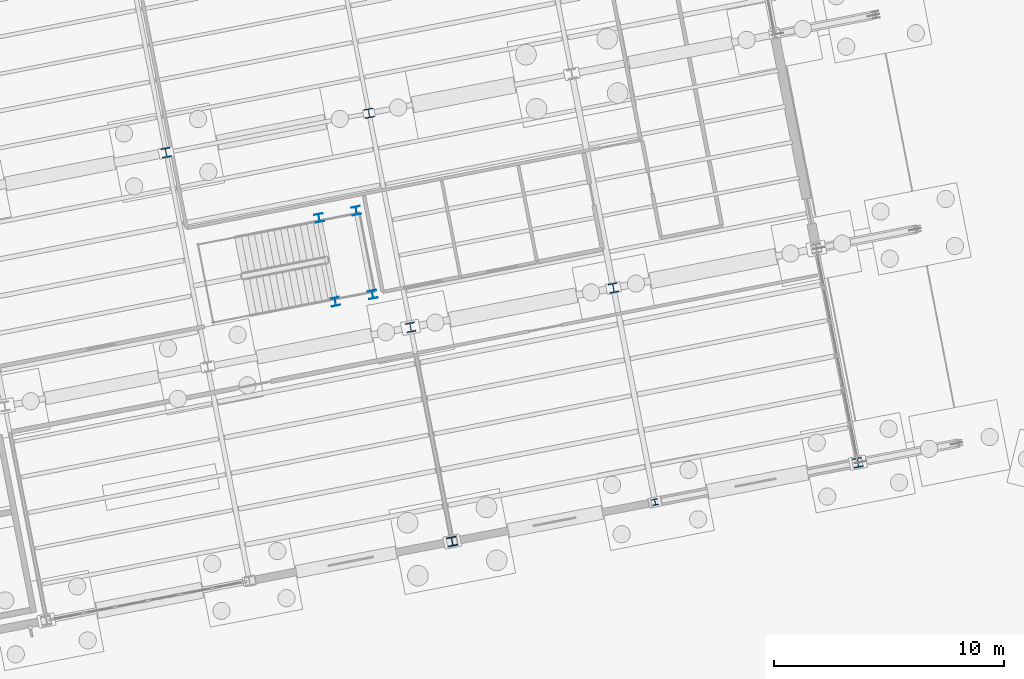
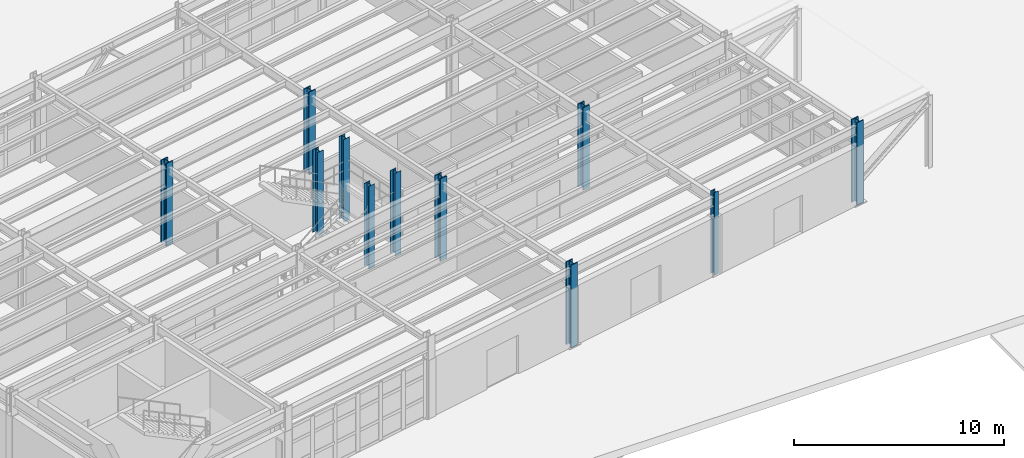
# One storey, part 10 of 108: 11 columns.
"""IFC4 building model written with IfcOpenShell, lengths in metres."""

from ifc_helpers import new_model, si_unit, direction, frame, origin, origin_2d, place, context, subcontext, project, spatial, i_section, extrude, material, material_profile, profile_set, type_object, element, save


model = new_model("IFC4")

# Units and contexts
model_context = context("Model", 3, precision=1e-05, world=origin(), true_north=direction((0.0, 1.0)))
body_context = subcontext(model_context, "Body", "Model", "MODEL_VIEW")
ifc_project = project(units=[si_unit("LENGTHUNIT", "METRE"), si_unit("AREAUNIT", "SQUARE_METRE"), si_unit("VOLUMEUNIT", "CUBIC_METRE"), si_unit("PLANEANGLEUNIT", "RADIAN"), si_unit("MASSUNIT", "GRAM", prefix="KILO")], contexts=[model_context])

# Site, building, storey
site_placement = place(None, origin())
site = spatial("IfcSite", under=ifc_project, at=site_placement, CompositionType="ELEMENT")
building_placement = place(site_placement, origin())
building = spatial("IfcBuilding", under=site, at=building_placement, Name="Vireo Bluff Cable Station", CompositionType="ELEMENT")
storey_placement = place(building_placement, origin())
storey = spatial("IfcBuildingStorey", under=building, at=storey_placement, Name="L00", CompositionType="ELEMENT", Elevation=0.0)

# Columns
ifc_material = material(Name="Steel ASTM A992 Gr. 50", Category="steel")
ifc_material_profile_1 = material_profile(ifc_material, i_section(OverallWidth=0.404052734375, OverallDepth=0.406005859375, WebThickness=0.027099609375, FlangeThickness=0.043701171875, FilletRadius=0.014892578125, at=origin_2d()), Name="W14X233")
ifc_profile_set_1 = profile_set([ifc_material_profile_1], Name="Steel ASTM A992 Gr. 50")
column_type_1 = type_object("IfcColumnType", Name="COL-W14X233", PredefinedType="COLUMN", material=ifc_profile_set_1)
column_1_placement = place(storey_placement, frame((32.378662109375, 29.302734375, 0.0), z_axis=(0.0, 0.0, 1.0), x_axis=(0.981627183448, 0.190808995377, 0.0)))
element("IfcColumn", 1, at=column_1_placement, inside=storey, type_object=column_type_1, Name="V5 L00 column 369", PredefinedType="COLUMN", context=body_context, shape_type="SweptSolid", body=[
    extrude(i_section(OverallWidth=0.404052734375, OverallDepth=0.406005859375, WebThickness=0.027099609375, FlangeThickness=0.043701171875, FilletRadius=0.014892578125, at=origin_2d()), origin(), (0.0, 0.0, 1.0), 4.800048828125),
])
ifc_material_profile_2 = material_profile(ifc_material, i_section(OverallWidth=0.408935546875, OverallDepth=0.424072265625, WebThickness=0.03271484375, FlangeThickness=0.052490234375, FilletRadius=0.014892578125, at=origin_2d()), Name="W14X283")
ifc_profile_set_2 = profile_set([ifc_material_profile_2], Name="Steel ASTM A992 Gr. 50")
column_type_2 = type_object("IfcColumnType", Name="COL-W14X283", PredefinedType="COLUMN", material=ifc_profile_set_2)
for number, where, z_axis, x_axis, name in (
    (2, (23.5439453125, 27.58544921875, 0.0), (0.0, 0.0, 1.0), (0.981627183448, 0.190808995377, 0.0), "V5 L00 column 358"),
    (3, (34.191162109375, 19.977294921875, 0.0), (0.0, 0.0, 1.0), (0.981627183448, 0.190808995377, 0.0), "V5 L00 column 366"),
    (4, (43.02587890625, 21.694580078125, 0.0), (0.0, 0.0, 1.0), (0.981627183448, 0.190808995377, 0.0), "V5 L00 column 376"),
):
    element("IfcColumn", number, at=place(storey_placement, frame(where, z_axis=z_axis, x_axis=x_axis)), inside=storey, type_object=column_type_2, Name=name, PredefinedType="COLUMN", context=body_context, shape_type="SweptSolid", body=[
        extrude(i_section(OverallWidth=0.408935546875, OverallDepth=0.424072265625, WebThickness=0.03271484375, FlangeThickness=0.052490234375, FilletRadius=0.014892578125, at=origin_2d()), origin(), (0.0, 0.0, 1.0), 4.800048828125),
    ])
ifc_material_profile_3 = material_profile(ifc_material, i_section(OverallWidth=0.367919921875, OverallDepth=0.35595703125, WebThickness=0.01123046875, FlangeThickness=0.01806640625, FilletRadius=0.014892578125, at=origin_2d()), Name="W14X90")
ifc_profile_set_3 = profile_set([ifc_material_profile_3], Name="Steel ASTM A992 Gr. 50")
column_type_3 = type_object("IfcColumnType", Name="COL-W14X90", PredefinedType="COLUMN", material=ifc_profile_set_3)
for number, where, z_axis, x_axis, name in (
    (5, (30.918212890625, 21.09326171875, 0.0), (0.0, 0.0, 1.0), (0.981627183448, 0.190808995377, 0.0), "ST-07 L00 landing support column 1"),
    (6, (32.537841796875, 21.408203125, 0.0), (0.0, 0.0, 1.0), (0.981627183448, 0.190808995377, 0.0), "ST-07 L00 landing support column 2"),
    (7, (30.208251953125, 24.744873046875, 0.0), (0.0, 0.0, 1.0), (0.981627183448, 0.190808995377, 0.0), "ST-07 L00 landing support column 3"),
    (8, (31.828125, 25.059814453125, 0.0), (0.0, 0.0, 1.0), (0.981627183448, 0.190808995377, 0.0), "ST-07 L00 landing support column 4"),
):
    element("IfcColumn", number, at=place(storey_placement, frame(where, z_axis=z_axis, x_axis=x_axis)), inside=storey, type_object=column_type_3, Name=name, PredefinedType="COLUMN", context=body_context, shape_type="SweptSolid", body=[
        extrude(i_section(OverallWidth=0.367919921875, OverallDepth=0.35595703125, WebThickness=0.01123046875, FlangeThickness=0.01806640625, FilletRadius=0.014892578125, at=origin_2d()), origin(), (0.0, 0.0, 1.0), 4.800048828125),
    ])
ifc_material_profile_4 = material_profile(ifc_material, i_section(OverallWidth=0.40087890625, OverallDepth=0.39892578125, WebThickness=0.02490234375, FlangeThickness=0.03955078125, FilletRadius=0.014892578125, at=origin_2d()), Name="W14X211")
ifc_profile_set_4 = profile_set([ifc_material_profile_4], Name="Steel ASTM A992 Gr. 50")
column_type_4 = type_object("IfcColumnType", Name="ECOL-W14X211", PredefinedType="COLUMN", material=ifc_profile_set_4)
column_2_placement = place(storey_placement, frame((36.00390625, 10.65185546875, 0.0), z_axis=(0.0, 0.0, 1.0), x_axis=(0.981627183448, 0.190808995377, 0.0)))
element("IfcColumn", 9, at=column_2_placement, inside=storey, type_object=column_type_4, Name="V5 L00 column 363", PredefinedType="COLUMN", context=body_context, shape_type="SweptSolid", body=[
    extrude(i_section(OverallWidth=0.40087890625, OverallDepth=0.39892578125, WebThickness=0.02490234375, FlangeThickness=0.03955078125, FilletRadius=0.014892578125, at=origin_2d()), origin(), (0.0, 0.0, 1.0), 4.800048828125),
])
ifc_material_profile_5 = material_profile(ifc_material, i_section(OverallWidth=0.406005859375, OverallDepth=0.4169921875, WebThickness=0.02978515625, FlangeThickness=0.048095703125, FilletRadius=0.014892578125, at=origin_2d()), Name="W14X257")
ifc_profile_set_5 = profile_set([ifc_material_profile_5], Name="Steel ASTM A992 Gr. 50")
column_type_5 = type_object("IfcColumnType", Name="ECOL-W14X257", PredefinedType="COLUMN", material=ifc_profile_set_5)
column_3_placement = place(storey_placement, frame((53.67333984375, 14.08642578125, 0.0), z_axis=(0.0, 0.0, 1.0), x_axis=(0.981627183448, 0.190808995377, 0.0)))
element("IfcColumn", 10, at=column_3_placement, inside=storey, type_object=column_type_5, Name="V5 L00 column 382", PredefinedType="COLUMN", context=body_context, shape_type="SweptSolid", body=[
    extrude(i_section(OverallWidth=0.406005859375, OverallDepth=0.4169921875, WebThickness=0.02978515625, FlangeThickness=0.048095703125, FilletRadius=0.014892578125, at=origin_2d()), origin(), (0.0, 0.0, 1.0), 4.800048828125),
])
ifc_material_profile_6 = material_profile(ifc_material, i_section(OverallWidth=0.257080078125, OverallDepth=0.263916015625, WebThickness=0.011962890625, FlangeThickness=0.01953125, FilletRadius=0.009033203125, at=origin_2d()), Name="W10X68")
ifc_profile_set_6 = profile_set([ifc_material_profile_6], Name="Steel ASTM A992 Gr. 50")
column_type_6 = type_object("IfcColumnType", Name="PIL-W10X68", PredefinedType="PILASTER", material=ifc_profile_set_6)
column_4_placement = place(storey_placement, frame((44.838623046875, 12.369140625, 0.0), z_axis=(0.0, 0.0, 1.0), x_axis=(0.981627183448, 0.190808995377, 0.0)))
element("IfcColumn", 11, at=column_4_placement, inside=storey, type_object=column_type_6, Name="V5 L00 column 374", PredefinedType="PILASTER", context=body_context, shape_type="SweptSolid", body=[
    extrude(i_section(OverallWidth=0.257080078125, OverallDepth=0.263916015625, WebThickness=0.011962890625, FlangeThickness=0.01953125, FilletRadius=0.009033203125, at=origin_2d()), origin(), (0.0, 0.0, 1.0), 4.800048828125),
])

save(model, "model.ifc")
